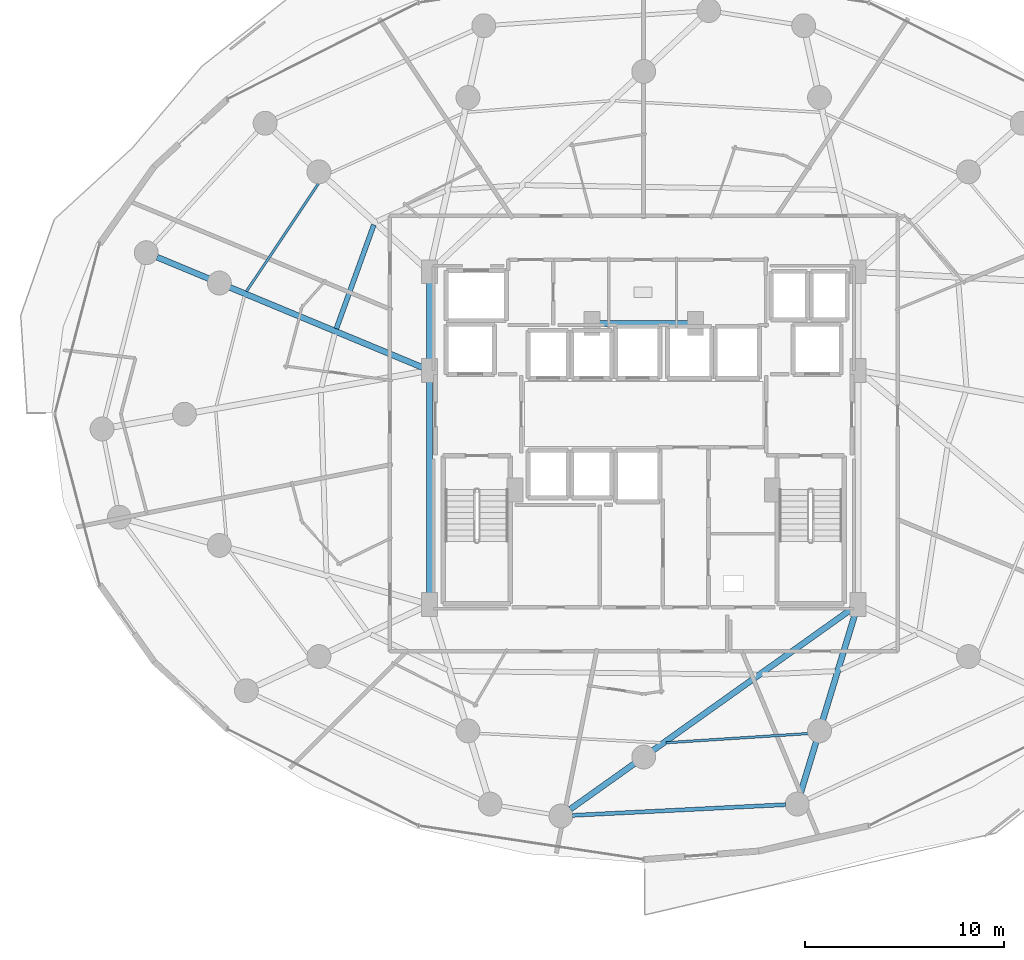
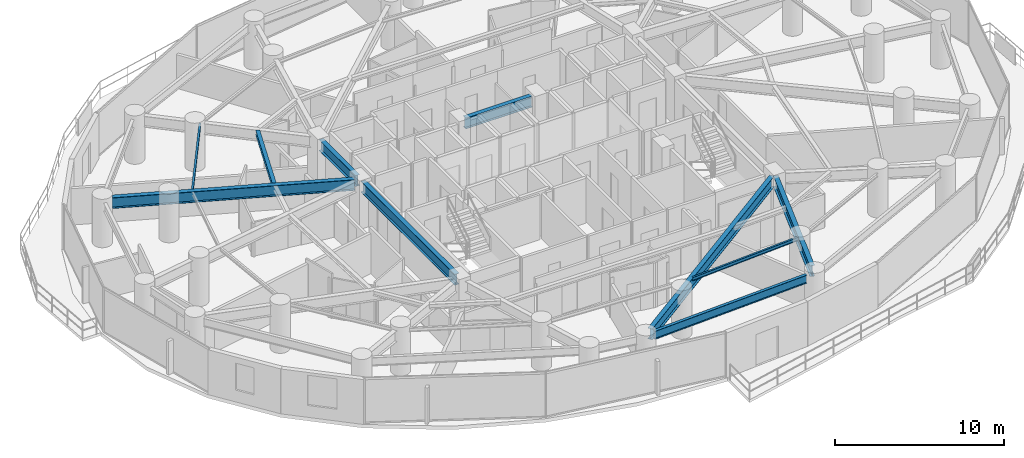
# One storey, part 11 of 35: 10 beams.
"""IFC4 building model written with IfcOpenShell, lengths in metres."""

from ifc_helpers import new_model, si_unit, direction, frame, origin, origin_2d, place, context, subcontext, project, spatial, i_section, extrude, material, material_profile, profile_set, type_object, element, save


model = new_model("IFC4")

# Units and contexts
model_context = context("Model", 3, precision=1e-05, world=origin(), true_north=direction((0.0, 1.0)))
body_context = subcontext(model_context, "Body", "Model", "MODEL_VIEW")
ifc_project = project(units=[si_unit("LENGTHUNIT", "METRE"), si_unit("AREAUNIT", "SQUARE_METRE"), si_unit("VOLUMEUNIT", "CUBIC_METRE"), si_unit("PLANEANGLEUNIT", "RADIAN"), si_unit("MASSUNIT", "GRAM", prefix="KILO")], contexts=[model_context])

# Site, building, storey
site_placement = place(None, origin())
site = spatial("IfcSite", under=ifc_project, at=site_placement, CompositionType="ELEMENT")
building_placement = place(site_placement, origin())
building = spatial("IfcBuilding", under=site, at=building_placement, Name="Vorneva Point Tower", CompositionType="ELEMENT")
storey_placement = place(building_placement, frame((0.0, 0.0, 48.5)))
storey = spatial("IfcBuildingStorey", under=building, at=storey_placement, Name="L12", CompositionType="ELEMENT", Elevation=48.5)

# Beams
ifc_material = material(Name="Steel S355", Category="steel")
ifc_material_profile_1 = material_profile(ifc_material, i_section(OverallWidth=0.300048828125, OverallDepth=0.7880859375, WebThickness=0.014404296875, FlangeThickness=0.02197265625, at=origin_2d()), Name="80Sh1")
ifc_profile_set_1 = profile_set([ifc_material_profile_1], Name="Steel S355")
beam_type_1 = type_object("IfcBeamType", Name="BM-GRD-80Sh1", PredefinedType="USERDEFINED", material=ifc_profile_set_1)
beam_1_placement = place(storey_placement, frame((13.58203125, 33.8798828125, 2.845947265625), z_axis=(0.923441131162, -0.383740116847, 0.0), x_axis=(0.383740116847, 0.923441131162, 0.0)))
element("IfcBeam", 1, at=beam_1_placement, inside=storey, type_object=beam_type_1, Name="L12 Radial Primary Girder 08", ObjectType="GIRDER", PredefinedType="USERDEFINED", context=body_context, shape_type="SweptSolid", body=[
    extrude(i_section(OverallWidth=0.300048828125, OverallDepth=0.7880859375, WebThickness=0.014404296875, FlangeThickness=0.02197265625, at=origin_2d()), origin(), (0.0, 0.0, 1.0), 14.461181640625),
])
beam_2_placement = place(storey_placement, frame((34.319580078125, 6.180908203125, 2.845947265625), z_axis=(0.814753048612, 0.579808131865, 0.0), x_axis=(-0.579808131865, 0.814753048612, 0.0)))
element("IfcBeam", 2, at=beam_2_placement, inside=storey, type_object=beam_type_1, Name="L12 Radial Primary Girder 13", ObjectType="GIRDER", PredefinedType="USERDEFINED", context=body_context, shape_type="SweptSolid", body=[
    extrude(i_section(OverallWidth=0.300048828125, OverallDepth=0.7880859375, WebThickness=0.014404296875, FlangeThickness=0.02197265625, at=origin_2d()), origin(), (0.0, 0.0, 1.0), 17.371337890625),
])
beam_3_placement = place(storey_placement, frame((45.874267578125, 6.997802734375, 2.845947265625), z_axis=(0.29105061459, 0.956707656365, 0.0), x_axis=(-0.956707656365, 0.29105061459, 0.0)))
element("IfcBeam", 3, at=beam_3_placement, inside=storey, type_object=beam_type_1, Name="L12 Radial Primary Girder 14", ObjectType="GIRDER", PredefinedType="USERDEFINED", context=body_context, shape_type="SweptSolid", body=[
    extrude(i_section(OverallWidth=0.300048828125, OverallDepth=0.7880859375, WebThickness=0.014404296875, FlangeThickness=0.02197265625, at=origin_2d()), origin(), (0.0, 0.0, 1.0), 9.5400390625),
])
beam_4_placement = place(storey_placement, frame((27.25, 16.77001953125, 2.845947265625), z_axis=(0.0, 1.0, 0.0), x_axis=(-1.0, 0.0, 0.0)))
element("IfcBeam", 4, at=beam_4_placement, inside=storey, type_object=beam_type_1, Name="L12 Core Tie Girder CT1", ObjectType="GIRDER", PredefinedType="USERDEFINED", context=body_context, shape_type="SweptSolid", body=[
    extrude(i_section(OverallWidth=0.300048828125, OverallDepth=0.7880859375, WebThickness=0.014404296875, FlangeThickness=0.02197265625, at=origin_2d()), origin(), (0.0, 0.0, 1.0), 11.10986328125),
])
beam_5_placement = place(storey_placement, frame((27.25, 28.52001953125, 2.845947265625), z_axis=(0.0, 1.0, 0.0), x_axis=(-1.0, 0.0, 0.0)))
element("IfcBeam", 5, at=beam_5_placement, inside=storey, type_object=beam_type_1, Name="L12 Core Tie Girder CT2", ObjectType="GIRDER", PredefinedType="USERDEFINED", context=body_context, shape_type="SweptSolid", body=[
    extrude(i_section(OverallWidth=0.300048828125, OverallDepth=0.7880859375, WebThickness=0.014404296875, FlangeThickness=0.02197265625, at=origin_2d()), origin(), (0.0, 0.0, 1.0), 4.31005859375),
])
beam_6_placement = place(storey_placement, frame((35.719970703125, 30.550048828125, 2.845947265625), z_axis=(1.0, 0.0, 0.0), x_axis=(0.0, 1.0, 0.0)))
element("IfcBeam", 6, at=beam_6_placement, inside=storey, type_object=beam_type_1, Name="L12 Core Tie Girder CT8", ObjectType="GIRDER", PredefinedType="USERDEFINED", context=body_context, shape_type="SweptSolid", body=[
    extrude(i_section(OverallWidth=0.300048828125, OverallDepth=0.7880859375, WebThickness=0.014404296875, FlangeThickness=0.02197265625, at=origin_2d()), origin(), (0.0, 0.0, 1.0), 4.56005859375),
])
ifc_material_profile_2 = material_profile(ifc_material, i_section(OverallWidth=0.1240234375, OverallDepth=0.248046875, WebThickness=0.0048828125, FlangeThickness=0.008056640625, at=origin_2d()), Name="25B1")
ifc_profile_set_2 = profile_set([ifc_material_profile_2], Name="Steel S355")
beam_type_2 = type_object("IfcBeamType", Name="BM-JST-25B1", PredefinedType="JOIST", material=ifc_profile_set_2)
beam_7_placement = place(storey_placement, frame((21.856689453125, 37.837890625, 3.115966796875), z_axis=(-0.555533726006, -0.83149400435, 0.0), x_axis=(0.83149400435, -0.555533726006, 0.0)))
element("IfcBeam", 7, at=beam_7_placement, inside=storey, type_object=beam_type_2, Name="L12 Secondary Floor Beam 1.07", PredefinedType="JOIST", context=body_context, shape_type="SweptSolid", body=[
    extrude(i_section(OverallWidth=0.1240234375, OverallDepth=0.248046875, WebThickness=0.0048828125, FlangeThickness=0.008056640625, at=origin_2d()), origin(), (0.0, 0.0, 1.0), 6.824462890625),
])
beam_8_placement = place(storey_placement, frame((39.1279296875, 9.513427734375, 3.115966796875), z_axis=(0.997909712216, 0.064623573603, 0.0), x_axis=(-0.064623573603, 0.997909712216, 0.0)))
element("IfcBeam", 8, at=beam_8_placement, inside=storey, type_object=beam_type_2, Name="L12 Secondary Floor Beam 1.13", PredefinedType="JOIST", context=body_context, shape_type="SweptSolid", body=[
    extrude(i_section(OverallWidth=0.1240234375, OverallDepth=0.248046875, WebThickness=0.0048828125, FlangeThickness=0.008056640625, at=origin_2d()), origin(), (0.0, 0.0, 1.0), 7.540771484375),
])
ifc_material_profile_3 = material_profile(ifc_material, i_section(OverallWidth=0.2490234375, OverallDepth=0.333984375, WebThickness=0.008056640625, FlangeThickness=0.010986328125, at=origin_2d()), Name="35Sh1")
ifc_profile_set_3 = profile_set([ifc_material_profile_3], Name="Steel S355")
beam_type_3 = type_object("IfcBeamType", Name="BM-SEC-35Sh1", PredefinedType="BEAM", material=ifc_profile_set_3)
beam_9_placement = place(storey_placement, frame((24.456298828125, 35.501220703125, 3.072998046875), z_axis=(-0.339459231388, -0.940620768549, 0.0), x_axis=(0.940620768549, -0.339459231388, 0.0)))
element("IfcBeam", 9, at=beam_9_placement, inside=storey, type_object=beam_type_3, Name="L12 Secondary Floor Beam 2.07", PredefinedType="BEAM", context=body_context, shape_type="SweptSolid", body=[
    extrude(i_section(OverallWidth=0.2490234375, OverallDepth=0.333984375, WebThickness=0.008056640625, FlangeThickness=0.010986328125, at=origin_2d()), origin(), (0.0, 0.0, 1.0), 5.53857421875),
])
ifc_material_profile_4 = material_profile(ifc_material, i_section(OverallWidth=0.198974609375, OverallDepth=0.595947265625, WebThickness=0.010009765625, FlangeThickness=0.014892578125, at=origin_2d()), Name="60B1")
ifc_profile_set_4 = profile_set([ifc_material_profile_4], Name="Steel S355")
beam_type_4 = type_object("IfcBeamType", Name="BM-SPN-60B1", PredefinedType="SPANDREL", material=ifc_profile_set_4)
beam_10_placement = place(storey_placement, frame((34.4248046875, 5.869140625, 2.94189453125), z_axis=(0.998742254413, 0.050138899561, 0.0), x_axis=(-0.050138899561, 0.998742254413, 0.0)))
element("IfcBeam", 10, at=beam_10_placement, inside=storey, type_object=beam_type_4, Name="L12 Perimeter Spandrel Ring Beam 13", PredefinedType="SPANDREL", context=body_context, shape_type="SweptSolid", body=[
    extrude(i_section(OverallWidth=0.198974609375, OverallDepth=0.595947265625, WebThickness=0.010009765625, FlangeThickness=0.014892578125, at=origin_2d()), origin(), (0.0, 0.0, 1.0), 10.70751953125),
])

save(model, "model.ifc")
